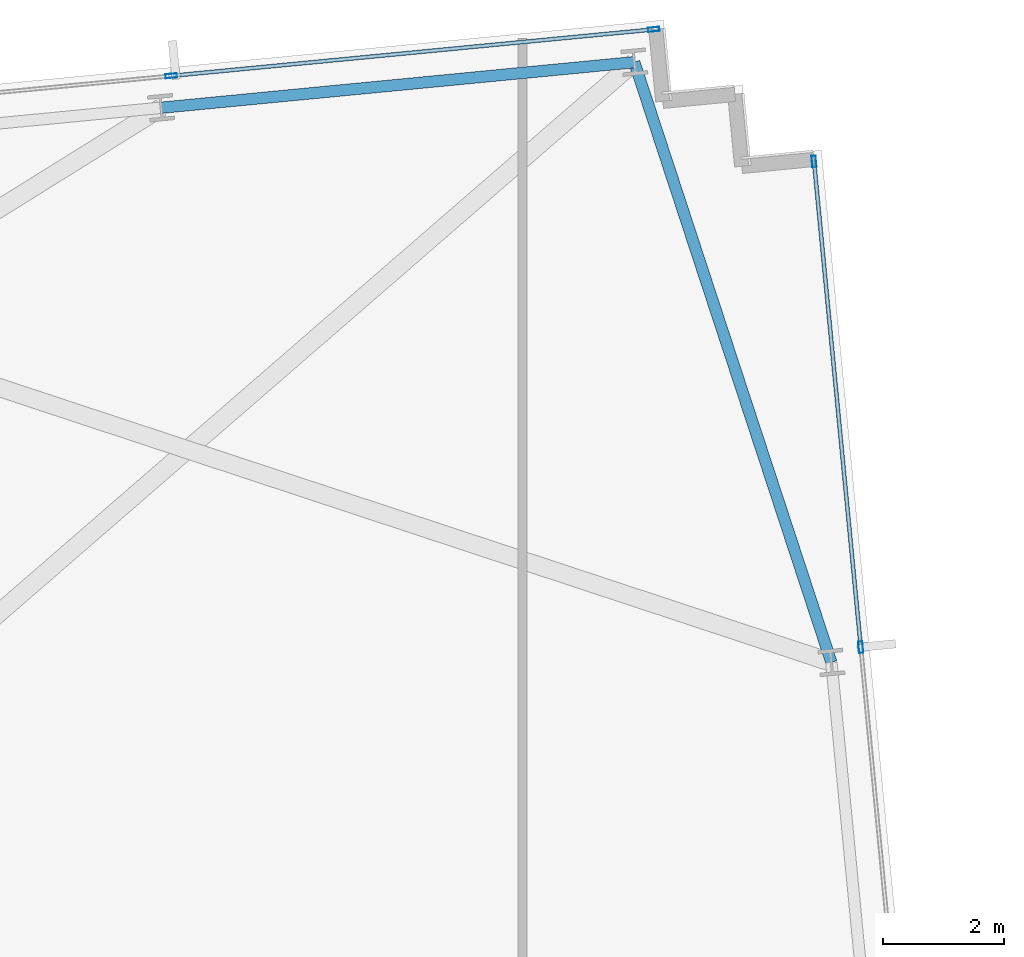
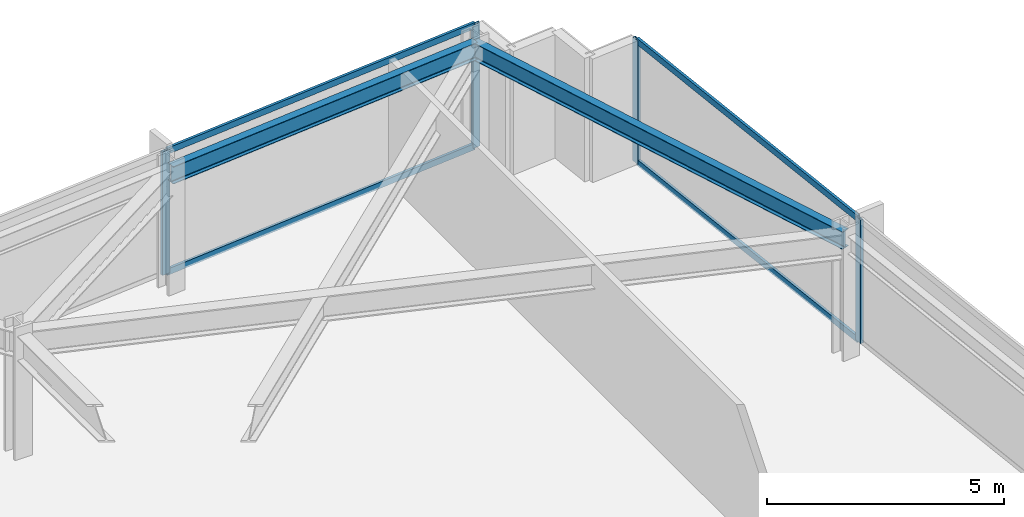
# One storey, part 23 of 32: 8 members, 2 beams, 2 elements without a shape of their own.
"""IFC4 building model written with IfcOpenShell, lengths in metres."""

from ifc_helpers import new_model, si_unit, direction, frame, origin, origin_2d, place, context, subcontext, project, spatial, hollow_rectangle, i_section, extrude, material, material_profile, profile_set, type_object, element, aggregate, save


model = new_model("IFC4")

# Units and contexts
model_context = context("Model", 3, precision=1e-05, world=origin(), true_north=direction((0.0, 1.0)))
body_context = subcontext(model_context, "Body", "Model", "MODEL_VIEW")
ifc_project = project(units=[si_unit("LENGTHUNIT", "METRE"), si_unit("AREAUNIT", "SQUARE_METRE"), si_unit("VOLUMEUNIT", "CUBIC_METRE"), si_unit("PLANEANGLEUNIT", "RADIAN"), si_unit("MASSUNIT", "GRAM", prefix="KILO")], contexts=[model_context])

# Site, building, storey
site_placement = place(None, origin())
site = spatial("IfcSite", under=ifc_project, at=site_placement, CompositionType="ELEMENT")
building_placement = place(site_placement, origin())
building = spatial("IfcBuilding", under=site, at=building_placement, Name="Yelkora Congress Tower", CompositionType="ELEMENT")
storey_placement = place(building_placement, frame((0.0, 0.0, 113.5)))
storey = spatial("IfcBuildingStorey", under=building, at=storey_placement, Name="L30", CompositionType="ELEMENT", Elevation=113.5)

# Beams
ifc_material_1 = material(Name="Steel S355J2", Category="steel")
ifc_material_profile_1 = material_profile(ifc_material_1, i_section(OverallWidth=0.18994140625, OverallDepth=0.449951171875, WebThickness=0.009521484375, FlangeThickness=0.0146484375, FilletRadius=0.02099609375, at=origin_2d()), Name="IPE 450")
ifc_profile_set_1 = profile_set([ifc_material_profile_1], Name="Steel S355J2")
beam_type = type_object("IfcBeamType", Name="BM-SPAN-IPE450", PredefinedType="SPANDREL", material=ifc_profile_set_1)
beam_1_placement = place(storey_placement, frame((74.522216796875, 40.610595703125, 2.955078125), z_axis=(-0.311961656523, 0.950094692575, 0.0), x_axis=(-0.950094692575, -0.311961656523, 0.0)))
element("IfcBeam", 1, at=beam_1_placement, inside=storey, type_object=beam_type, Name="L30 Perimeter Beam 13", PredefinedType="SPANDREL", context=body_context, shape_type="SweptSolid", body=[
    extrude(i_section(OverallWidth=0.18994140625, OverallDepth=0.449951171875, WebThickness=0.009521484375, FlangeThickness=0.0146484375, FilletRadius=0.02099609375, at=origin_2d()), origin(), (0.0, 0.0, 1.0), 10.48046875),
])
beam_2_placement = place(storey_placement, frame((71.252685546875, 50.568115234375, 2.955078125), z_axis=(-0.995392621281, -0.095882894719, 0.0), x_axis=(0.095882894719, -0.995392621281, 0.0)))
element("IfcBeam", 2, at=beam_2_placement, inside=storey, type_object=beam_type, Name="L30 Perimeter Beam 14", PredefinedType="SPANDREL", context=body_context, shape_type="SweptSolid", body=[
    extrude(i_section(OverallWidth=0.18994140625, OverallDepth=0.449951171875, WebThickness=0.009521484375, FlangeThickness=0.0146484375, FilletRadius=0.02099609375, at=origin_2d()), origin(), (0.0, 0.0, 1.0), 7.8857421875),
])

# Curtain wall, members
ifc_material_2 = material(Name="Anodised aluminium and insulated glass", Category="aluminium")
curtain_wall_type = type_object("IfcCurtainWallType", Name="CW-SYS-B2", PredefinedType="NOTDEFINED", material=ifc_material_2)
curtain_wall_1_placement = place(storey_placement, origin())
curtain_wall_1 = element("IfcCurtainWall", 3, at=curtain_wall_1_placement, inside=storey, type_object=curtain_wall_type, Name="L30 Unitised Curtain Wall 10 (3)", PredefinedType="NOTDEFINED")
ifc_material_3 = material(Name="Anodised aluminium 6063-T6", Category="aluminium")
ifc_material_profile_2 = material_profile(ifc_material_3, hollow_rectangle(XDim=0.070068359375, YDim=0.18994140625, WallThickness=0.00390625, at=origin_2d()), Name="ALU 70x190x4")
ifc_profile_set_2 = profile_set([ifc_material_profile_2], Name="Anodised aluminium 6063-T6")
member_type_1 = type_object("IfcMemberType", Name="MEM-ML-B2", PredefinedType="MULLION", material=ifc_profile_set_2)
member_1_placement = place(storey_placement, frame((63.572021484375, 50.3408203125, 0.0), z_axis=(0.0, 0.0, 1.0), x_axis=(-0.095844238468, 0.995396344153, 0.0)))
member_1 = element("IfcMember", 4, at=member_1_placement, type_object=member_type_1, Name="CW-B2 mullion 6", PredefinedType="MULLION", context=body_context, shape_type="SweptSolid", body=[
    extrude(hollow_rectangle(XDim=0.070068359375, YDim=0.18994140625, WallThickness=0.00390625, at=origin_2d()), origin(), (0.0, 0.0, 1.0), 3.179931640625),
])
member_2_placement = place(storey_placement, frame((71.5771484375, 51.111572265625, 0.0), z_axis=(0.0, 0.0, 1.0), x_axis=(-0.095844238468, 0.995396344153, 0.0)))
member_2 = element("IfcMember", 5, at=member_2_placement, type_object=member_type_1, Name="CW-B2 mullion 7", PredefinedType="MULLION", context=body_context, shape_type="SweptSolid", body=[
    extrude(hollow_rectangle(XDim=0.070068359375, YDim=0.18994140625, WallThickness=0.00390625, at=origin_2d()), origin(), (0.0, 0.0, 1.0), 3.179931640625),
])

curtain_wall_2_placement = place(storey_placement, origin())
curtain_wall_2 = element("IfcCurtainWall", 6, at=curtain_wall_2_placement, inside=storey, type_object=curtain_wall_type, Name="L30 Unitised Curtain Wall 15", PredefinedType="NOTDEFINED")
member_3_placement = place(storey_placement, frame((74.234375, 48.921142578125, 0.0), z_axis=(0.0, 0.0, 1.0), x_axis=(0.995396507508, 0.095842541913, 0.0)))
member_3 = element("IfcMember", 7, at=member_3_placement, type_object=member_type_1, Name="CW-B2 mullion 1", PredefinedType="MULLION", context=body_context, shape_type="SweptSolid", body=[
    extrude(hollow_rectangle(XDim=0.070068359375, YDim=0.18994140625, WallThickness=0.00390625, at=origin_2d()), origin(), (0.0, 0.0, 1.0), 3.179931640625),
])
member_4_placement = place(storey_placement, frame((75.010009765625, 40.863525390625, 0.0), z_axis=(0.0, 0.0, 1.0), x_axis=(0.995396507508, 0.095842541913, 0.0)))
member_4 = element("IfcMember", 8, at=member_4_placement, type_object=member_type_1, Name="CW-B2 mullion 2", PredefinedType="MULLION", context=body_context, shape_type="SweptSolid", body=[
    extrude(hollow_rectangle(XDim=0.070068359375, YDim=0.18994140625, WallThickness=0.00390625, at=origin_2d()), origin(), (0.0, 0.0, 1.0), 3.179931640625),
])

# Member
ifc_material_profile_3 = material_profile(ifc_material_3, hollow_rectangle(XDim=0.06494140625, YDim=0.159912109375, WallThickness=0.00390625, at=origin_2d()), Name="ALU 65x160x4")
ifc_profile_set_3 = profile_set([ifc_material_profile_3], Name="Anodised aluminium 6063-T6")
member_type_2 = type_object("IfcMemberType", Name="MEM-TR-B2", PredefinedType="USERDEFINED", material=ifc_profile_set_3)
member_5_placement = place(storey_placement, frame((63.606689453125, 50.343994140625, 0.032470703125), z_axis=(0.995395553311, 0.095852451448, 0.0), x_axis=(-0.095852451448, 0.995395553311, 0.0)))
member_5 = element("IfcMember", 9, at=member_5_placement, type_object=member_type_2, Name="CW-B2 transom 6.1", ObjectType="TRANSOM", PredefinedType="USERDEFINED", context=body_context, shape_type="SweptSolid", body=[
    extrude(hollow_rectangle(XDim=0.06494140625, YDim=0.159912109375, WallThickness=0.00390625, at=origin_2d()), origin(), (0.0, 0.0, 1.0), 7.97216796875),
])

member_6_placement = place(storey_placement, frame((63.606689453125, 50.343994140625, 3.1474609375), z_axis=(0.995395553311, 0.095852451448, 0.0), x_axis=(-0.095852451448, 0.995395553311, 0.0)))
member_6 = element("IfcMember", 10, at=member_6_placement, type_object=member_type_2, Name="CW-B2 transom 6.2", ObjectType="TRANSOM", PredefinedType="USERDEFINED", context=body_context, shape_type="SweptSolid", body=[
    extrude(hollow_rectangle(XDim=0.06494140625, YDim=0.159912109375, WallThickness=0.00390625, at=origin_2d()), origin(), (0.0, 0.0, 1.0), 7.97216796875),
])

aggregate(curtain_wall_1, [member_1, member_2, member_5, member_6])

member_7_placement = place(storey_placement, frame((74.237548828125, 48.88623046875, 0.032470703125), z_axis=(0.095861385662, -0.995394692943, 0.0), x_axis=(0.995394692943, 0.095861385662, 0.0)))
member_7 = element("IfcMember", 11, at=member_7_placement, type_object=member_type_2, Name="CW-B2 transom 1.1", ObjectType="TRANSOM", PredefinedType="USERDEFINED", context=body_context, shape_type="SweptSolid", body=[
    extrude(hollow_rectangle(XDim=0.06494140625, YDim=0.159912109375, WallThickness=0.00390625, at=origin_2d()), origin(), (0.0, 0.0, 1.0), 8.02490234375),
])

member_8_placement = place(storey_placement, frame((74.237548828125, 48.88623046875, 3.1474609375), z_axis=(0.095861385662, -0.995394692943, 0.0), x_axis=(0.995394692943, 0.095861385662, 0.0)))
member_8 = element("IfcMember", 12, at=member_8_placement, type_object=member_type_2, Name="CW-B2 transom 1.2", ObjectType="TRANSOM", PredefinedType="USERDEFINED", context=body_context, shape_type="SweptSolid", body=[
    extrude(hollow_rectangle(XDim=0.06494140625, YDim=0.159912109375, WallThickness=0.00390625, at=origin_2d()), origin(), (0.0, 0.0, 1.0), 8.02490234375),
])

aggregate(curtain_wall_2, [member_3, member_4, member_7, member_8])

save(model, "model.ifc")
